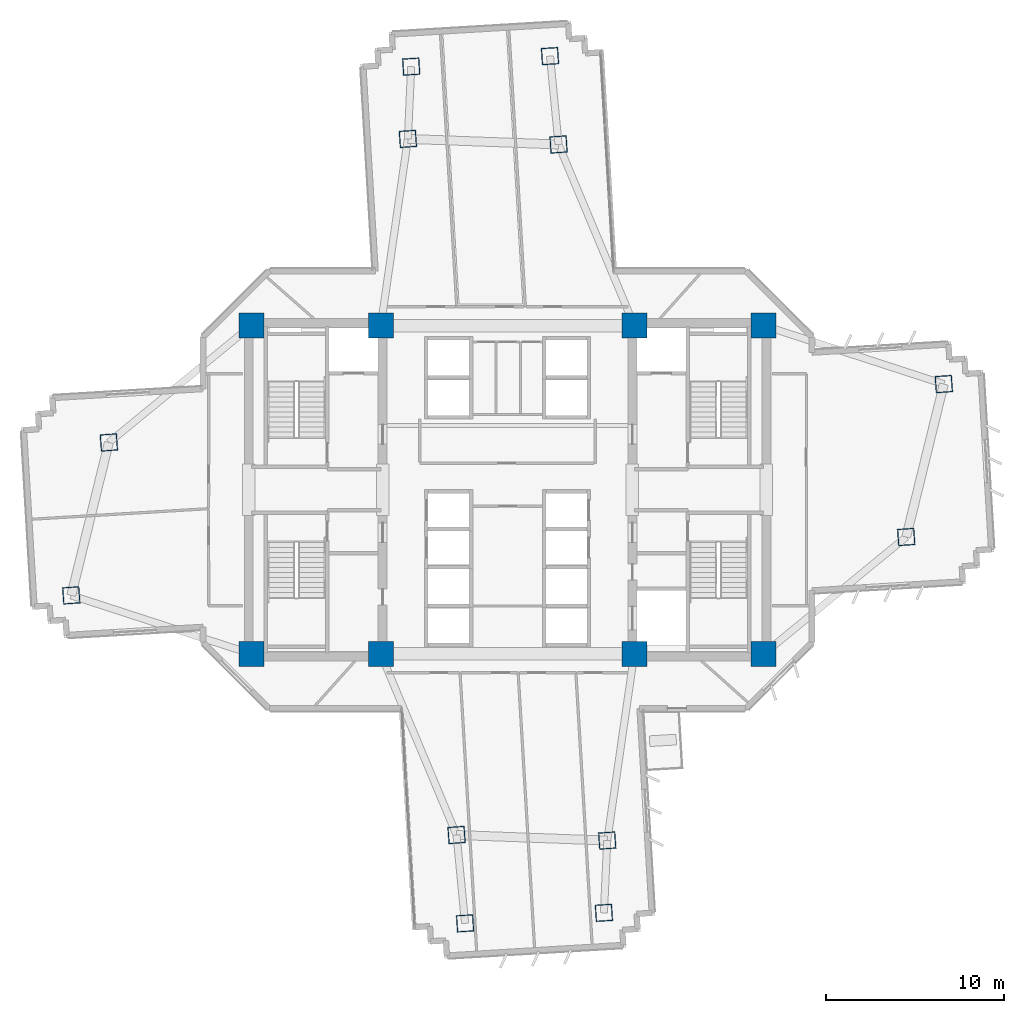
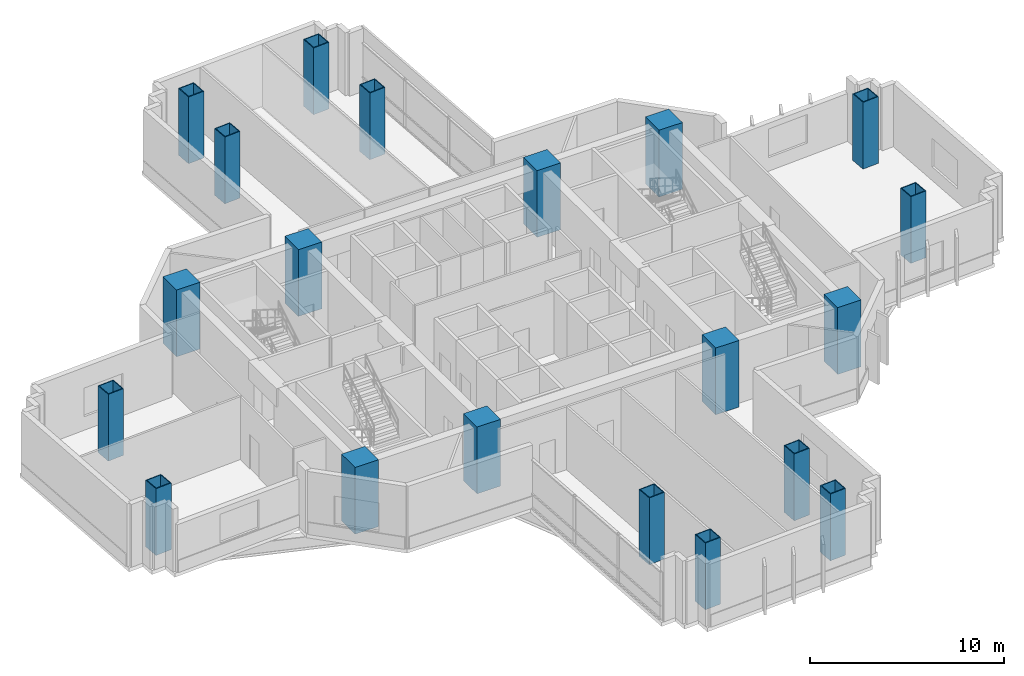
# One storey, part 1 of 15: 20 columns.
"""IFC4 building model written with IfcOpenShell, lengths in metres."""

from ifc_helpers import new_model, si_unit, direction, frame, origin, origin_2d, place, context, subcontext, project, spatial, rectangle, hollow_rectangle, extrude, source, transform, mapped, material, material_profile, profile_set, type_object, element, save


model = new_model("IFC4")

# Units and contexts
model_context = context("Model", 3, precision=1e-05, world=origin(), true_north=direction((0.0, 1.0)))
body_context = subcontext(model_context, "Body", "Model", "MODEL_VIEW")
ifc_project = project(units=[si_unit("LENGTHUNIT", "METRE"), si_unit("AREAUNIT", "SQUARE_METRE"), si_unit("VOLUMEUNIT", "CUBIC_METRE"), si_unit("PLANEANGLEUNIT", "RADIAN"), si_unit("MASSUNIT", "GRAM", prefix="KILO")], contexts=[model_context])

# Site, building, storey
site_placement = place(None, origin())
site = spatial("IfcSite", under=ifc_project, at=site_placement, CompositionType="ELEMENT")
building_placement = place(site_placement, origin())
building = spatial("IfcBuilding", under=site, at=building_placement, Name="Zahravan Cultural Tower", CompositionType="ELEMENT")
storey_placement = place(building_placement, frame((0.0, 0.0, 75.300048828125)))
storey = spatial("IfcBuildingStorey", under=building, at=storey_placement, Name="L16", CompositionType="ELEMENT", Elevation=75.300048828125)

# Columns
ifc_material_1 = material(Name="Concrete C60/75", Category="concrete")
ifc_material_profile_1 = material_profile(ifc_material_1, rectangle(XDim=1.39990234375, YDim=1.39990234375, at=origin_2d()), Name="RC1400X1400")
ifc_profile_set_1 = profile_set([ifc_material_profile_1], Name="Concrete C60/75")
column_type_1 = type_object("IfcColumnType", Name="COL-RC1400", PredefinedType="COLUMN", material=ifc_profile_set_1)
shared_shape_1 = source(origin(), body_context, "Body", "SweptSolid", [
    extrude(rectangle(XDim=1.39990234375, YDim=1.39990234375, at=origin_2d()), origin(), (0.0, 0.0, 1.0), 4.199951171875),
])
for number, where, z_axis, x_axis, name in (
    (1, (21.64990234375, 17.800048828125, 0.0), (0.0, 0.0, 1.0), (1.0, 0.0, 0.0), "L16 Column CC-W1"),
    (2, (28.89990234375, 17.800048828125, 0.0), (0.0, 0.0, 1.0), (1.0, 0.0, 0.0), "L16 Column CC-W2"),
    (3, (21.64990234375, 36.199951171875, 0.0), (0.0, 0.0, 1.0), (1.0, 0.0, 0.0), "L16 Column CC-W3"),
    (4, (28.89990234375, 36.199951171875, 0.0), (0.0, 0.0, 1.0), (1.0, 0.0, 0.0), "L16 Column CC-W4"),
    (5, (43.10009765625, 17.800048828125, 0.0), (0.0, 0.0, 1.0), (1.0, 0.0, 0.0), "L16 Column CC-E1"),
    (6, (50.35009765625, 17.800048828125, 0.0), (0.0, 0.0, 1.0), (1.0, 0.0, 0.0), "L16 Column CC-E2"),
    (7, (43.10009765625, 36.199951171875, 0.0), (0.0, 0.0, 1.0), (1.0, 0.0, 0.0), "L16 Column CC-E3"),
    (8, (50.35009765625, 36.199951171875, 0.0), (0.0, 0.0, 1.0), (1.0, 0.0, 0.0), "L16 Column CC-E4"),
):
    element("IfcColumn", number, at=place(storey_placement, frame(where, z_axis=z_axis, x_axis=x_axis)), inside=storey, type_object=column_type_1, Name=name, PredefinedType="COLUMN", context=body_context, shape_type="MappedRepresentation", body=[
        mapped(shared_shape_1, transform((0.0, 0.0, 0.0), x_axis=(1.0, 0.0, 0.0), y_axis=(0.0, 1.0, 0.0), z_axis=(0.0, 0.0, 1.0), scale=1.0)),
    ])
ifc_material_2 = material(Name="Steel ASTM A572 Grade 50", Category="steel")
ifc_material_profile_2 = material_profile(ifc_material_2, hollow_rectangle(XDim=0.949951171875, YDim=0.949951171875, WallThickness=0.050048828125, at=origin_2d()), Name="BOX950X950X50")
ifc_profile_set_2 = profile_set([ifc_material_profile_2], Name="Steel ASTM A572 Grade 50")
column_type_2 = type_object("IfcColumnType", Name="COL-BOX950", PredefinedType="COLUMN", material=ifc_profile_set_2)
shared_shape_2 = source(origin(), body_context, "Body", "SweptSolid", [
    extrude(hollow_rectangle(XDim=0.949951171875, YDim=0.949951171875, WallThickness=0.050048828125, at=origin_2d()), origin(), (0.0, 0.0, 1.0), 4.199951171875),
])
for number, where, z_axis, x_axis, name in (
    (9, (58.339111328125, 24.351806640625, 0.0), (0.0, 0.0, 1.0), (0.99756405026, 0.069756473744, 0.0), "L16 Column Z1C-E1"),
    (10, (60.446533203125, 32.919677734375, 0.0), (0.0, 0.0, 1.0), (0.99756405026, 0.069756473744, 0.0), "L16 Column Z1C-E2"),
    (11, (38.857421875, 46.346435546875, 0.0), (0.0, 0.0, 1.0), (-0.069756473744, 0.99756405026, 0.0), "L16 Column Z1C-N1"),
    (12, (30.4150390625, 46.658203125, 0.0), (0.0, 0.0, 1.0), (-0.069756473744, 0.99756405026, 0.0), "L16 Column Z1C-N2"),
    (13, (13.660888671875, 29.648193359375, 0.0), (0.0, 0.0, 1.0), (0.99756405026, 0.069756473744, 0.0), "L16 Column Z1C-W1"),
    (14, (11.553466796875, 21.080322265625, 0.0), (0.0, 0.0, 1.0), (0.99756405026, 0.069756473744, 0.0), "L16 Column Z1C-W2"),
    (15, (33.142578125, 7.653564453125, 0.0), (0.0, 0.0, 1.0), (-0.069756473744, 0.99756405026, 0.0), "L16 Column Z1C-S1"),
    (16, (41.5849609375, 7.341796875, 0.0), (0.0, 0.0, 1.0), (-0.069756473744, 0.99756405026, 0.0), "L16 Column Z1C-S2"),
    (17, (38.379150390625, 51.29736328125, 0.0), (0.0, 0.0, 1.0), (-0.062790519529, 0.998026728428, 0.0), "L16 Column Z1T-N1"),
    (18, (30.6005859375, 50.707763671875, 0.0), (0.0, 0.0, 1.0), (-0.062790519529, 0.998026728428, 0.0), "L16 Column Z1T-N2"),
    (19, (33.620849609375, 2.70263671875, 0.0), (0.0, 0.0, 1.0), (-0.062790519529, 0.998026728428, 0.0), "L16 Column Z1T-S1"),
    (20, (41.3994140625, 3.292236328125, 0.0), (0.0, 0.0, 1.0), (-0.062790519529, 0.998026728428, 0.0), "L16 Column Z1T-S2"),
):
    element("IfcColumn", number, at=place(storey_placement, frame(where, z_axis=z_axis, x_axis=x_axis)), inside=storey, type_object=column_type_2, Name=name, PredefinedType="COLUMN", context=body_context, shape_type="MappedRepresentation", body=[
        mapped(shared_shape_2, transform((0.0, 0.0, 0.0), x_axis=(1.0, 0.0, 0.0), y_axis=(0.0, 1.0, 0.0), z_axis=(0.0, 0.0, 1.0), scale=1.0)),
    ])

save(model, "model.ifc")
